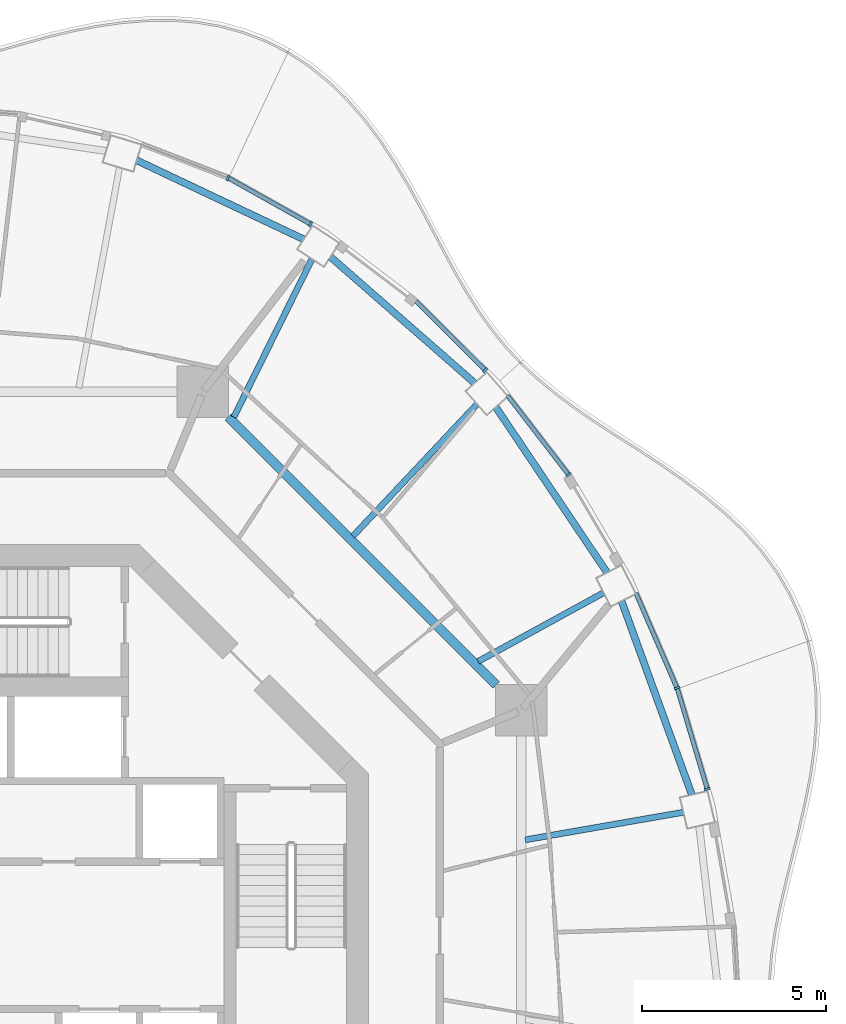
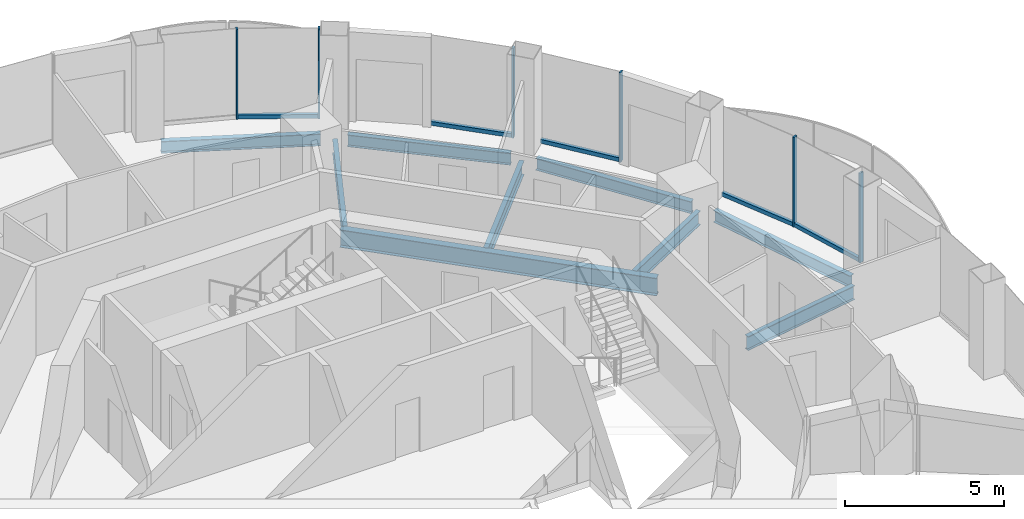
# One storey, part 7 of 17: 11 members, 9 beams, 6 elements without a shape of their own.
"""IFC4 building model written with IfcOpenShell, lengths in metres."""

from ifc_helpers import new_model, si_unit, direction, frame, origin, origin_2d, place, context, subcontext, project, spatial, rectangle, i_section, extrude, material, layer, layer_set, material_profile, profile_set, type_object, element, aggregate, save


model = new_model("IFC4")

# Units and contexts
model_context = context("Model", 3, precision=1e-05, world=origin(), true_north=direction((0.0, 1.0)))
body_context = subcontext(model_context, "Body", "Model", "MODEL_VIEW")
ifc_project = project(units=[si_unit("LENGTHUNIT", "METRE"), si_unit("AREAUNIT", "SQUARE_METRE"), si_unit("VOLUMEUNIT", "CUBIC_METRE"), si_unit("PLANEANGLEUNIT", "RADIAN"), si_unit("MASSUNIT", "GRAM", prefix="KILO")], contexts=[model_context])

# Site, building, storey
site_placement = place(None, origin())
site = spatial("IfcSite", under=ifc_project, at=site_placement, CompositionType="ELEMENT")
building_placement = place(site_placement, origin())
building = spatial("IfcBuilding", under=site, at=building_placement, Name="Nagisa Residences", CompositionType="ELEMENT")
storey_placement = place(building_placement, frame((0.0, 0.0, 288.10009765625)))
storey = spatial("IfcBuildingStorey", under=building, at=storey_placement, Name="L73", CompositionType="ELEMENT", Elevation=288.10009765625)

# Curtain wall, member
ifc_material_1 = material(Name="Concrete-coloured aluminium curtain wall system", Category="concrete")
ifc_layer = layer(ifc_material_1, 0.159912109375)
ifc_layer_set = layer_set([ifc_layer], Name="CW1 CURTAIN WALL")
curtain_wall_type = type_object("IfcCurtainWallType", Name="CW1 CURTAIN WALL", PredefinedType="NOTDEFINED", material=ifc_layer_set)
curtain_wall_1_placement = place(storey_placement, origin())
curtain_wall_1 = element("IfcCurtainWall", 1, at=curtain_wall_1_placement, inside=storey, type_object=curtain_wall_type, Name="cw:CW1:L73:02", PredefinedType="NOTDEFINED")
ifc_material_2 = material(Name="Concrete-coloured aluminium", Category="concrete")
ifc_material_profile_1 = material_profile(ifc_material_2, rectangle(XDim=0.159912109375, YDim=0.06005859375, at=origin_2d()), Name="CW1 MULLION 160x60")
ifc_profile_set_1 = profile_set([ifc_material_profile_1], Name="Concrete-coloured aluminium")
member_type_1 = type_object("IfcMemberType", Name="CW1 MULLION 160x60", PredefinedType="MULLION", material=ifc_profile_set_1)
member_1_placement = place(storey_placement, frame((19.83544921875, 3.9814453125, 0.0), z_axis=(0.0, 0.0, 1.0), x_axis=(-0.958271310082, -0.285860274038, 0.0)))
member_1 = element("IfcMember", 2, at=member_1_placement, type_object=member_type_1, Name="CW1 mullion", PredefinedType="MULLION", context=body_context, shape_type="SweptSolid", body=[
    extrude(rectangle(XDim=0.159912109375, YDim=0.06005859375, at=origin_2d()), origin(), (0.0, 0.0, 1.0), 3.43994140625),
])

curtain_wall_2_placement = place(storey_placement, origin())
curtain_wall_2 = element("IfcCurtainWall", 3, at=curtain_wall_2_placement, inside=storey, type_object=curtain_wall_type, Name="cw:CW1:L73:03", PredefinedType="NOTDEFINED")
member_2_placement = place(storey_placement, frame((19.012939453125, 6.728271484375, 0.0), z_axis=(0.0, 0.0, 1.0), x_axis=(-0.917543276295, -0.397635934147, 0.0)))
member_2 = element("IfcMember", 4, at=member_2_placement, type_object=member_type_1, Name="CW1 mullion", PredefinedType="MULLION", context=body_context, shape_type="SweptSolid", body=[
    extrude(rectangle(XDim=0.159912109375, YDim=0.06005859375, at=origin_2d()), origin(), (0.0, 0.0, 1.0), 3.43994140625),
])

curtain_wall_3_placement = place(storey_placement, origin())
curtain_wall_3 = element("IfcCurtainWall", 5, at=curtain_wall_3_placement, inside=storey, type_object=curtain_wall_type, Name="cw:CW1:L73:05", PredefinedType="NOTDEFINED")
member_3_placement = place(storey_placement, frame((16.06396484375, 12.52685546875, 0.0), z_axis=(0.0, 0.0, 1.0), x_axis=(-0.792070340816, -0.610429828235, 0.0)))
member_3 = element("IfcMember", 6, at=member_3_placement, type_object=member_type_1, Name="CW1 mullion", PredefinedType="MULLION", context=body_context, shape_type="SweptSolid", body=[
    extrude(rectangle(XDim=0.159912109375, YDim=0.06005859375, at=origin_2d()), origin(), (0.0, 0.0, 1.0), 3.43994140625),
])

curtain_wall_4_placement = place(storey_placement, origin())
curtain_wall_4 = element("IfcCurtainWall", 7, at=curtain_wall_4_placement, inside=storey, type_object=curtain_wall_type, Name="cw:CW1:L73:06", PredefinedType="NOTDEFINED")
member_4_placement = place(storey_placement, frame((13.798583984375, 15.36572265625, 0.0), z_axis=(0.0, 0.0, 1.0), x_axis=(-0.706376885714, -0.707835924016, 0.0)))
member_4 = element("IfcMember", 8, at=member_4_placement, type_object=member_type_1, Name="CW1 mullion", PredefinedType="MULLION", context=body_context, shape_type="SweptSolid", body=[
    extrude(rectangle(XDim=0.159912109375, YDim=0.06005859375, at=origin_2d()), origin(), (0.0, 0.0, 1.0), 3.43994140625),
])

curtain_wall_5_placement = place(storey_placement, origin())
curtain_wall_5 = element("IfcCurtainWall", 9, at=curtain_wall_5_placement, inside=storey, type_object=curtain_wall_type, Name="cw:CW1:L73:08", PredefinedType="NOTDEFINED")
member_5_placement = place(storey_placement, frame((9.05224609375, 19.3388671875, 0.0), z_axis=(0.0, 0.0, 1.0), x_axis=(-0.489376918501, -0.872072377523, 0.0)))
member_5 = element("IfcMember", 10, at=member_5_placement, type_object=member_type_1, Name="CW1 mullion", PredefinedType="MULLION", context=body_context, shape_type="SweptSolid", body=[
    extrude(rectangle(XDim=0.159912109375, YDim=0.06005859375, at=origin_2d()), origin(), (0.0, 0.0, 1.0), 3.43994140625),
])

curtain_wall_6_placement = place(storey_placement, origin())
curtain_wall_6 = element("IfcCurtainWall", 11, at=curtain_wall_6_placement, inside=storey, type_object=curtain_wall_type, Name="cw:CW1:L73:09", PredefinedType="NOTDEFINED")
member_6_placement = place(storey_placement, frame((6.799560546875, 20.59912109375, 0.0), z_axis=(0.0, 0.0, 1.0), x_axis=(-0.360327770268, -0.932825759707, 0.0)))
member_6 = element("IfcMember", 12, at=member_6_placement, type_object=member_type_1, Name="CW1 mullion", PredefinedType="MULLION", context=body_context, shape_type="SweptSolid", body=[
    extrude(rectangle(XDim=0.159912109375, YDim=0.06005859375, at=origin_2d()), origin(), (0.0, 0.0, 1.0), 3.43994140625),
])
aggregate(curtain_wall_6, [member_6])

# Member
ifc_material_3 = material(Name="Concrete-coloured aluminium", Category="concrete")
ifc_material_profile_2 = material_profile(ifc_material_3, rectangle(XDim=0.1201171875, YDim=0.14990234375, at=origin_2d()), Name="CW1 TRANSOM 120x150")
ifc_profile_set_2 = profile_set([ifc_material_profile_2], Name="Concrete-coloured aluminium")
member_type_2 = type_object("IfcMemberType", Name="CW1 TRANSOM 120x150", PredefinedType="USERDEFINED", material=ifc_profile_set_2)
member_7_placement = place(storey_placement, frame((19.843994140625, 3.95263671875, 0.074951171875), z_axis=(-0.285876209024, 0.9582665564, 0.0), x_axis=(-0.9582665564, -0.285876209024, 0.0)))
member_7 = element("IfcMember", 13, at=member_7_placement, type_object=member_type_2, Name="CW1 transom", ObjectType="TRANSOM", PredefinedType="USERDEFINED", context=body_context, shape_type="SweptSolid", body=[
    extrude(rectangle(XDim=0.1201171875, YDim=0.14990234375, at=origin_2d()), origin(), (0.0, 0.0, 1.0), 2.877197265625),
])

aggregate(curtain_wall_1, [member_1, member_7])

member_8_placement = place(storey_placement, frame((19.024658203125, 6.70068359375, 0.074951171875), z_axis=(-0.397597791596, 0.9175598052, 0.0), x_axis=(-0.9175598052, -0.397597791596, 0.0)))
member_8 = element("IfcMember", 14, at=member_8_placement, type_object=member_type_2, Name="CW1 transom", ObjectType="TRANSOM", PredefinedType="USERDEFINED", context=body_context, shape_type="SweptSolid", body=[
    extrude(rectangle(XDim=0.1201171875, YDim=0.14990234375, at=origin_2d()), origin(), (0.0, 0.0, 1.0), 2.841064453125),
])

aggregate(curtain_wall_2, [member_2, member_8])

member_9_placement = place(storey_placement, frame((16.082275390625, 12.5029296875, 0.074951171875), z_axis=(-0.610432336622, 0.792068407656, 0.0), x_axis=(-0.792068407656, -0.610432336622, 0.0)))
member_9 = element("IfcMember", 15, at=member_9_placement, type_object=member_type_2, Name="CW1 transom", ObjectType="TRANSOM", PredefinedType="USERDEFINED", context=body_context, shape_type="SweptSolid", body=[
    extrude(rectangle(XDim=0.1201171875, YDim=0.14990234375, at=origin_2d()), origin(), (0.0, 0.0, 1.0), 2.74609375),
])

aggregate(curtain_wall_3, [member_3, member_9])

member_10_placement = place(storey_placement, frame((13.81982421875, 15.344482421875, 0.074951171875), z_axis=(-0.707876975297, 0.706335747251, 0.0), x_axis=(-0.706335747251, -0.707876975297, 0.0)))
member_10 = element("IfcMember", 16, at=member_10_placement, type_object=member_type_2, Name="CW1 transom", ObjectType="TRANSOM", PredefinedType="USERDEFINED", context=body_context, shape_type="SweptSolid", body=[
    extrude(rectangle(XDim=0.1201171875, YDim=0.14990234375, at=origin_2d()), origin(), (0.0, 0.0, 1.0), 2.69287109375),
])

aggregate(curtain_wall_4, [member_4, member_10])

member_11_placement = place(storey_placement, frame((9.078369140625, 19.32421875, 0.074951171875), z_axis=(-0.872052877201, 0.489411666561, 0.0), x_axis=(-0.489411666561, -0.872052877201, 0.0)))
member_11 = element("IfcMember", 17, at=member_11_placement, type_object=member_type_2, Name="CW1 transom", ObjectType="TRANSOM", PredefinedType="USERDEFINED", context=body_context, shape_type="SweptSolid", body=[
    extrude(rectangle(XDim=0.1201171875, YDim=0.14990234375, at=origin_2d()), origin(), (0.0, 0.0, 1.0), 2.593017578125),
])

aggregate(curtain_wall_5, [member_5, member_11])

# Beams
ifc_material_4 = material(Name="Steel ASTM A572 Gr 50", Category="steel")
ifc_material_profile_3 = material_profile(ifc_material_4, i_section(OverallWidth=0.2529296875, OverallDepth=0.677978515625, WebThickness=0.01171875, FlangeThickness=0.016357421875, at=origin_2d()), Name="W690x125")
ifc_profile_set_3 = profile_set([ifc_material_profile_3], Name="Steel ASTM A572 Gr 50")
beam_type_1 = type_object("IfcBeamType", Name="Inner ring beam W690x125", PredefinedType="BEAM", material=ifc_profile_set_3)
beam_1_placement = place(storey_placement, frame((14.09619140625, 6.808837890625, -0.59912109375), z_axis=(-0.707106781187, 0.707106781187, 0.0), x_axis=(-0.707106781187, -0.707106781187, 0.0)))
element("IfcBeam", 18, at=beam_1_placement, inside=storey, type_object=beam_type_1, Name="beam:L73:ib1", PredefinedType="BEAM", context=body_context, shape_type="SweptSolid", body=[
    extrude(i_section(OverallWidth=0.2529296875, OverallDepth=0.677978515625, WebThickness=0.01171875, FlangeThickness=0.016357421875, at=origin_2d()), origin(), (0.0, 0.0, 1.0), 10.305908203125),
])
ifc_material_5 = material(Name="Steel ASTM A572 Gr 50", Category="steel")
ifc_material_profile_4 = material_profile(ifc_material_5, i_section(OverallWidth=0.18994140625, OverallDepth=0.45703125, WebThickness=0.009033203125, FlangeThickness=0.014404296875, at=origin_2d()), Name="W460x74")
ifc_profile_set_4 = profile_set([ifc_material_profile_4], Name="Steel ASTM A572 Gr 50")
beam_type_2 = type_object("IfcBeamType", Name="Perimeter ring beam W460x74", PredefinedType="BEAM", material=ifc_profile_set_4)
beam_2_placement = place(storey_placement, frame((19.41845703125, 3.822021484375, -0.488525390625), z_axis=(-0.341211850477, 0.93998642176, 0.0), x_axis=(-0.93998642176, -0.341211850477, 0.0)))
element("IfcBeam", 19, at=beam_2_placement, inside=storey, type_object=beam_type_2, Name="beam:L73:pb02", PredefinedType="BEAM", context=body_context, shape_type="SweptSolid", body=[
    extrude(i_section(OverallWidth=0.18994140625, OverallDepth=0.45703125, WebThickness=0.009033203125, FlangeThickness=0.014404296875, at=origin_2d()), origin(), (0.0, 0.0, 1.0), 5.609619140625),
])
beam_3_placement = place(storey_placement, frame((17.11474609375, 9.862060546875, -0.488525390625), z_axis=(-0.558066424866, 0.829796279479, 0.0), x_axis=(-0.829796279479, -0.558066424866, 0.0)))
element("IfcBeam", 20, at=beam_3_placement, inside=storey, type_object=beam_type_2, Name="beam:L73:pb03", PredefinedType="BEAM", context=body_context, shape_type="SweptSolid", body=[
    extrude(i_section(OverallWidth=0.18994140625, OverallDepth=0.45703125, WebThickness=0.009033203125, FlangeThickness=0.014404296875, at=origin_2d()), origin(), (0.0, 0.0, 1.0), 5.43212890625),
])
beam_4_placement = place(storey_placement, frame((13.514892578125, 15.015380859375, -0.488525390625), z_axis=(-0.752385480596, 0.658723074279, 0.0), x_axis=(-0.658723074279, -0.752385480596, 0.0)))
element("IfcBeam", 21, at=beam_4_placement, inside=storey, type_object=beam_type_2, Name="beam:L73:pb04", PredefinedType="BEAM", context=body_context, shape_type="SweptSolid", body=[
    extrude(i_section(OverallWidth=0.18994140625, OverallDepth=0.45703125, WebThickness=0.009033203125, FlangeThickness=0.014404296875, at=origin_2d()), origin(), (0.0, 0.0, 1.0), 5.220947265625),
])
beam_5_placement = place(storey_placement, frame((8.8671875, 18.926513671875, -0.488525390625), z_axis=(-0.904115893837, 0.427287316113, 0.0), x_axis=(-0.427287316113, -0.904115893837, 0.0)))
element("IfcBeam", 22, at=beam_5_placement, inside=storey, type_object=beam_type_2, Name="beam:L73:pb05", PredefinedType="BEAM", context=body_context, shape_type="SweptSolid", body=[
    extrude(i_section(OverallWidth=0.18994140625, OverallDepth=0.45703125, WebThickness=0.009033203125, FlangeThickness=0.014404296875, at=origin_2d()), origin(), (0.0, 0.0, 1.0), 5.031494140625),
])
ifc_material_6 = material(Name="Steel ASTM A572 Gr 50", Category="steel")
ifc_material_profile_5 = material_profile(ifc_material_6, i_section(OverallWidth=0.166015625, OverallDepth=0.534912109375, WebThickness=0.01025390625, FlangeThickness=0.0166015625, at=origin_2d()), Name="W530x85")
ifc_profile_set_5 = profile_set([ifc_material_profile_5], Name="Steel ASTM A572 Gr 50")
beam_type_3 = type_object("IfcBeamType", Name="Radial beam W530x85", PredefinedType="BEAM", material=ifc_profile_set_5)
beam_6_placement = place(storey_placement, frame((19.191162109375, 3.349365234375, -0.527587890625), z_axis=(-0.985114356534, -0.171900275017, 0.0), x_axis=(0.171900275017, -0.985114356534, 0.0)))
element("IfcBeam", 23, at=beam_6_placement, inside=storey, type_object=beam_type_3, Name="beam:L73:rb02", PredefinedType="BEAM", context=body_context, shape_type="SweptSolid", body=[
    extrude(i_section(OverallWidth=0.166015625, OverallDepth=0.534912109375, WebThickness=0.01025390625, FlangeThickness=0.0166015625, at=origin_2d()), origin(), (0.0, 0.0, 1.0), 4.3671875),
])
beam_7_placement = place(storey_placement, frame((17.02294921875, 9.31982421875, -0.527587890625), z_axis=(-0.877142169669, -0.480230792628, 0.0), x_axis=(0.480230792628, -0.877142169669, 0.0)))
element("IfcBeam", 24, at=beam_7_placement, inside=storey, type_object=beam_type_3, Name="beam:L73:rb03", PredefinedType="BEAM", context=body_context, shape_type="SweptSolid", body=[
    extrude(i_section(OverallWidth=0.166015625, OverallDepth=0.534912109375, WebThickness=0.01025390625, FlangeThickness=0.0166015625, at=origin_2d()), origin(), (0.0, 0.0, 1.0), 3.894287109375),
])
beam_8_placement = place(storey_placement, frame((13.579833984375, 14.451416015625, -0.527587890625), z_axis=(-0.684799688268, -0.728731354442, 0.0), x_axis=(0.728731354442, -0.684799688268, 0.0)))
element("IfcBeam", 25, at=beam_8_placement, inside=storey, type_object=beam_type_3, Name="beam:L73:rb04", PredefinedType="BEAM", context=body_context, shape_type="SweptSolid", body=[
    extrude(i_section(OverallWidth=0.166015625, OverallDepth=0.534912109375, WebThickness=0.01025390625, FlangeThickness=0.0166015625, at=origin_2d()), origin(), (0.0, 0.0, 1.0), 4.934814453125),
])
beam_9_placement = place(storey_placement, frame((9.09033203125, 18.3974609375, -0.527587890625), z_axis=(-0.442997846128, -0.896522675857, 0.0), x_axis=(0.896522675857, -0.442997846128, 0.0)))
element("IfcBeam", 26, at=beam_9_placement, inside=storey, type_object=beam_type_3, Name="beam:L73:rb05", PredefinedType="BEAM", context=body_context, shape_type="SweptSolid", body=[
    extrude(i_section(OverallWidth=0.166015625, OverallDepth=0.534912109375, WebThickness=0.01025390625, FlangeThickness=0.0166015625, at=origin_2d()), origin(), (0.0, 0.0, 1.0), 4.80078125),
])

save(model, "model.ifc")
